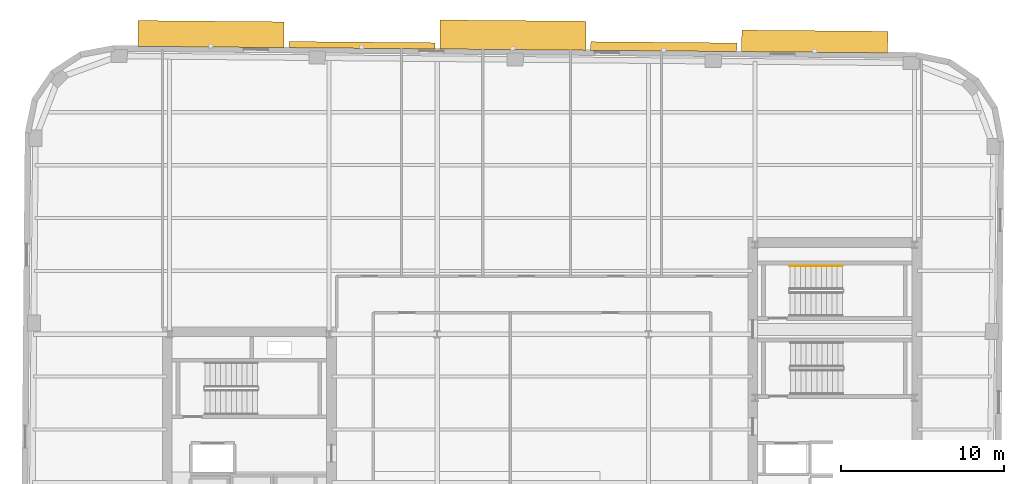
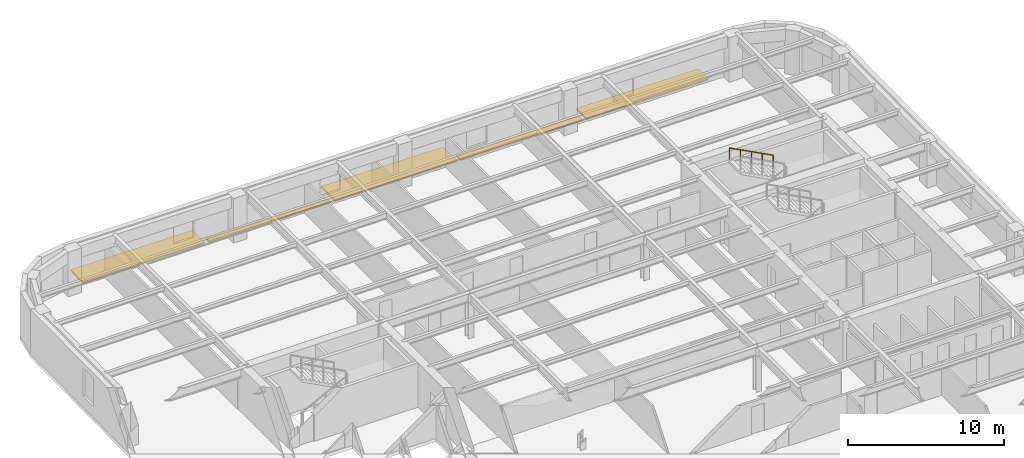
# One storey, part 11 of 11: 5 shading devices, 1 railing.
"""IFC4 building model written with IfcOpenShell, lengths in metres."""

from ifc_helpers import new_model, si_unit, direction, frame, origin, origin_2d, place, context, subcontext, project, spatial, rectangle, circle, extrude, material, type_object, element, save


model = new_model("IFC4")

# Units and contexts
model_context = context("Model", 3, precision=1e-05, world=origin(), true_north=direction((0.0, 1.0)))
body_context = subcontext(model_context, "Body", "Model", "MODEL_VIEW")
ifc_project = project(units=[si_unit("LENGTHUNIT", "METRE"), si_unit("AREAUNIT", "SQUARE_METRE"), si_unit("VOLUMEUNIT", "CUBIC_METRE"), si_unit("PLANEANGLEUNIT", "RADIAN"), si_unit("MASSUNIT", "GRAM", prefix="KILO")], contexts=[model_context])

# Site, building, storey
site_placement = place(None, origin())
site = spatial("IfcSite", under=ifc_project, at=site_placement, CompositionType="ELEMENT")
building_placement = place(site_placement, origin())
building = spatial("IfcBuilding", under=site, at=building_placement, Name="Kolvaren Arena Tower", CompositionType="ELEMENT")
storey_placement = place(building_placement, frame((0.0, 0.0, 162.199951171875)))
storey = spatial("IfcBuildingStorey", under=building, at=storey_placement, Name="L38", CompositionType="ELEMENT", Elevation=162.199951171875)

# Railing
ifc_material_1 = material(Name="Brushed stainless steel handrail", Category="steel")
railing_type = type_object("IfcRailingType", Name="HRAIL-900", PredefinedType="HANDRAIL", material=ifc_material_1)
railing_placement = place(storey_placement, frame((55.919921875, 38.050048828125, 2.04541015625)))
element("IfcRailing", 1, at=railing_placement, inside=storey, type_object=railing_type, Name="L38 ST-E2 stair handrail 2", PredefinedType="HANDRAIL", context=body_context, shape_type="SweptSolid", body=[
    extrude(circle(Radius=0.02392578125, at=origin_2d()), frame((0.0, 0.0, 0.8759765625), z_axis=(-0.884993431791, 0.0, 0.465603506952), x_axis=(0.0, -1.0, 0.0)), (0.0, 0.0, 1.0), 3.6611328125),
    extrude(circle(Radius=0.02099609375, at=origin_2d()), origin(), (0.0, 0.0, 1.0), 0.851806640625),
    extrude(circle(Radius=0.02099609375, at=origin_2d()), frame((-0.81005859375, 0.0, 0.42626953125)), (0.0, 0.0, 1.0), 0.851806640625),
    extrude(circle(Radius=0.02099609375, at=origin_2d()), frame((-1.6201171875, 0.0, 0.852294921875)), (0.0, 0.0, 1.0), 0.851806640625),
    extrude(circle(Radius=0.02099609375, at=origin_2d()), frame((-2.429931640625, 0.0, 1.2783203125)), (0.0, 0.0, 1.0), 0.851806640625),
    extrude(circle(Radius=0.02099609375, at=origin_2d()), frame((-3.239990234375, 0.0, 1.70458984375)), (0.0, 0.0, 1.0), 0.851806640625),
])

# Shading devices
ifc_material_2 = material(Name="Architectural precast GFRC and anodised aluminium sunshade", Category="concrete")
shading_device_type_1 = type_object("IfcShadingDeviceType", Name="SHAD-SINE-A", PredefinedType="USERDEFINED", material=ifc_material_2)
shading_device_1_placement = place(storey_placement, frame((26.37060546875, 51.62109375, -0.139892578125), z_axis=(0.0, 0.0, 1.0), x_axis=(0.999961923064, -0.008726535498, 0.0)))
element("IfcShadingDevice", 2, at=shading_device_1_placement, inside=storey, type_object=shading_device_type_1, Name="Sinusoidal Slab-Edge Sunshade Louvre (L38)", ObjectType="LOUVRE", PredefinedType="USERDEFINED", context=body_context, shape_type="SweptSolid", body=[
    extrude(rectangle(XDim=8.97998046875, YDim=0.379638671875, at=origin_2d()), origin(), (0.0, 0.0, 1.0), 0.1201171875),
])
shading_device_2_placement = place(storey_placement, frame((44.930419921875, 51.5341796875, -0.139892578125), z_axis=(0.0, 0.0, 1.0), x_axis=(0.999961923064, -0.008726535498, 0.0)))
element("IfcShadingDevice", 3, at=shading_device_2_placement, inside=storey, type_object=shading_device_type_1, Name="Sinusoidal Slab-Edge Sunshade Louvre (L38)", ObjectType="LOUVRE", PredefinedType="USERDEFINED", context=body_context, shape_type="SweptSolid", body=[
    extrude(rectangle(XDim=8.97998046875, YDim=0.529296875, at=origin_2d()), origin(), (0.0, 0.0, 1.0), 0.1201171875),
])
shading_device_type_2 = type_object("IfcShadingDeviceType", Name="SHAD-SINE-B", PredefinedType="JALOUSIE", material=ifc_material_2)
shading_device_3_placement = place(storey_placement, frame((17.09619140625, 52.30517578125, -0.139892578125), z_axis=(0.0, 0.0, 1.0), x_axis=(0.999961923064, -0.008726535498, 0.0)))
element("IfcShadingDevice", 4, at=shading_device_3_placement, inside=storey, type_object=shading_device_type_2, Name="Sinusoidal Slab-Edge Sunshade Louvre (L38)", PredefinedType="JALOUSIE", context=body_context, shape_type="SweptSolid", body=[
    extrude(rectangle(XDim=8.97998046875, YDim=1.585693359375, at=origin_2d()), origin(), (0.0, 0.0, 1.0), 0.1201171875),
])
shading_device_4_placement = place(storey_placement, frame((35.65625, 52.241943359375, -0.139892578125), z_axis=(0.0, 0.0, 1.0), x_axis=(0.999961923064, -0.008726535498, 0.0)))
element("IfcShadingDevice", 5, at=shading_device_4_placement, inside=storey, type_object=shading_device_type_2, Name="Sinusoidal Slab-Edge Sunshade Louvre (L38)", PredefinedType="JALOUSIE", context=body_context, shape_type="SweptSolid", body=[
    extrude(rectangle(XDim=8.97998046875, YDim=1.783203125, at=origin_2d()), origin(), (0.0, 0.0, 1.0), 0.1201171875),
])
shading_device_5_placement = place(storey_placement, frame((54.213623046875, 51.85009765625, -0.139892578125), z_axis=(0.0, 0.0, 1.0), x_axis=(0.999961923064, -0.008726535498, 0.0)))
element("IfcShadingDevice", 6, at=shading_device_5_placement, inside=storey, type_object=shading_device_type_2, Name="Sinusoidal Slab-Edge Sunshade Louvre (L38)", PredefinedType="JALOUSIE", context=body_context, shape_type="SweptSolid", body=[
    extrude(rectangle(XDim=8.97998046875, YDim=1.3232421875, at=origin_2d()), origin(), (0.0, 0.0, 1.0), 0.1201171875),
])

save(model, "model.ifc")
